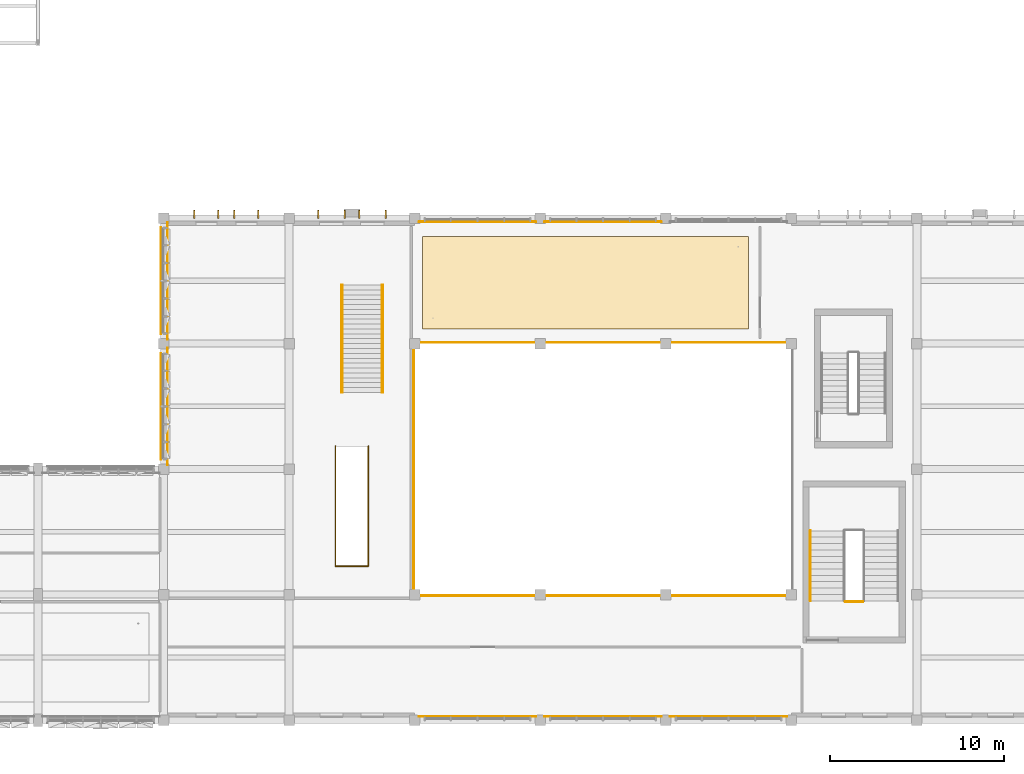
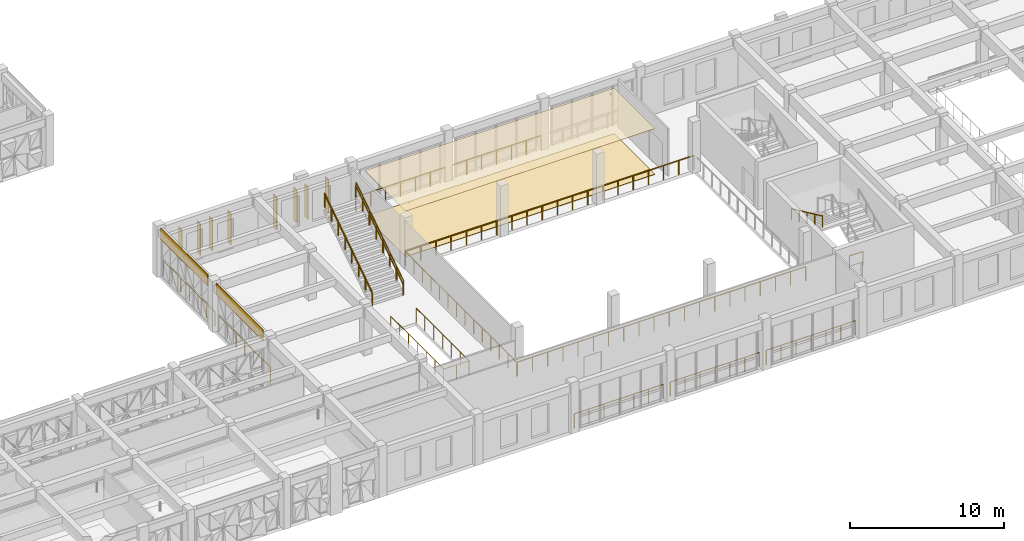
# One storey, part 74 of 88: 17 railings, 12 coverings.
"""IFC4 building model written with IfcOpenShell, lengths in metres."""

import ifcopenshell
import ifcopenshell.guid

model = None  # the IFC model being written
_history = None  # IfcOwnerHistory: only IFC2X3 demands one
_inside = {}  # id of a spatial element -> (the spatial element, [elements in it])
_under = {}  # id of a project, library or spatial element -> (it, [spatial elements below it])
_declared = {}  # id of a project -> (the project, [libraries it declares])
_typed = {}  # id of a type object -> (the type object, [elements of that type])
_made_of = {}  # id of a material, layer set ... -> (it, [elements and type objects made of it])


def new_model(schema):
    """Start an empty IFC model of exactly this schema.

    Asked for "IFC4X3", IfcOpenShell would pick the latest addendum, in which some entities
    have other attributes; the version numbers below select the first issue.
    IFC2X3 requires an IfcOwnerHistory on every rooted entity: one is made here for all.
    """
    global model, _history
    if schema == "IFC4X3":
        model = ifcopenshell.file(schema_version=(4, 3, 0, 0))
    else:
        model = ifcopenshell.file(schema=schema)
    _inside.clear()
    _under.clear()
    _declared.clear()
    _typed.clear()
    _made_of.clear()
    _history = None
    if model.schema == "IFC2X3":
        org = make("IfcOrganization", Name="unknown")
        user = make(
            "IfcPersonAndOrganization",
            ThePerson=make("IfcPerson", FamilyName="unknown"),
            TheOrganization=org,
        )
        app = make(
            "IfcApplication",
            ApplicationDeveloper=org,
            Version="unknown",
            ApplicationFullName="unknown",
            ApplicationIdentifier="unknown",
        )
        _history = make(
            "IfcOwnerHistory",
            OwningUser=user,
            OwningApplication=app,
            ChangeAction="ADDED",
            CreationDate=0,
        )
    return model


def make(cls, **values):
    """One entity of the class cls with the attributes given. An attribute that is None is left unset."""
    return model.create_entity(
        cls, **{name: value for name, value in values.items() if value is not None}
    )


def rooted(cls, **values):
    """An entity with a GlobalId (a new one), such as an element, a storey or a relation."""
    return make(cls, GlobalId=ifcopenshell.guid.new(), OwnerHistory=_history, **values)


def si_unit(unit_type, name, prefix=None):
    """IfcSIUnit, for example si_unit("LENGTHUNIT", "METRE", prefix="MILLI")."""
    return make("IfcSIUnit", UnitType=unit_type, Prefix=prefix, Name=name)


def assignment(units):
    """IfcUnitAssignment: the units of a project."""
    return None if units is None else make("IfcUnitAssignment", Units=units)


def point(xyz):
    """IfcCartesianPoint."""
    return None if xyz is None else make("IfcCartesianPoint", Coordinates=xyz)


def direction(xyz):
    """IfcDirection."""
    return None if xyz is None else make("IfcDirection", DirectionRatios=xyz)


def frame(location, z_axis=None, x_axis=None):
    """IfcAxis2Placement3D, a coordinate frame: its origin and axes. An axis left out is left unset."""
    return make(
        "IfcAxis2Placement3D",
        Location=point(location),
        Axis=direction(z_axis),
        RefDirection=direction(x_axis),
    )


def frame_2d(location, x_axis=None):
    """IfcAxis2Placement2D, a coordinate frame in the plane: its origin and x axis."""
    return make(
        "IfcAxis2Placement2D", Location=point(location), RefDirection=direction(x_axis)
    )


def origin():
    """The frame at (0, 0, 0) with its axes left unset."""
    return frame((0.0, 0.0, 0.0))


def origin_2d():
    """The frame at (0, 0) in the plane with its x axis left unset."""
    return frame_2d((0.0, 0.0))


def place(relative_to, where):
    """IfcLocalPlacement: puts the frame where relative to a parent placement (None: the world)."""
    return make(
        "IfcLocalPlacement", PlacementRelTo=relative_to, RelativePlacement=where
    )


def context(
    kind, dimensions, precision=None, world=None, true_north=None, identifier=None
):
    """IfcGeometricRepresentationContext, for example the 3D "Model" context."""
    return make(
        "IfcGeometricRepresentationContext",
        ContextIdentifier=identifier,
        ContextType=kind,
        CoordinateSpaceDimension=dimensions,
        Precision=precision,
        WorldCoordinateSystem=world,
        TrueNorth=true_north,
    )


def subcontext(parent, identifier, kind, view, scale=None):
    """IfcGeometricRepresentationSubContext, for example "Body" below "Model"."""
    return make(
        "IfcGeometricRepresentationSubContext",
        ContextIdentifier=identifier,
        ContextType=kind,
        ParentContext=parent,
        TargetScale=scale,
        TargetView=view,
    )


def project(units=None, contexts=None):
    """IfcProject with its units and contexts."""
    return rooted(
        "IfcProject",
        Name="project",
        RepresentationContexts=contexts,
        UnitsInContext=assignment(units),
    )


def spatial(cls, under=None, at=None, **own):
    """A site, building, storey or space (cls), placed at a placement, below another one or the project."""
    s = rooted(cls, ObjectPlacement=at, **own)
    if under is not None:
        _under.setdefault(under.id(), (under, []))[1].append(s)
    return s


def polyline(points):
    """IfcPolyline through the points."""
    return make("IfcPolyline", Points=[point(p) for p in points])


def profile(cls, at=None, kind="AREA", **sizes):
    """A parametric profile (cls). Its sizes go by their IFC names, for example OverallWidth=200.0."""
    return make(cls, ProfileType=kind, Position=at, **sizes)


def circle(**sizes):
    """IfcCircleProfileDef."""
    return profile("IfcCircleProfileDef", **sizes)


def outline(outer, holes=None, kind="AREA"):
    """IfcArbitraryClosedProfileDef: a profile drawn as a closed curve; with holes, ...WithVoids."""
    if holes is None:
        return make("IfcArbitraryClosedProfileDef", ProfileType=kind, OuterCurve=outer)
    return make(
        "IfcArbitraryProfileDefWithVoids",
        ProfileType=kind,
        OuterCurve=outer,
        InnerCurves=holes,
    )


def extrude(swept, where, along, depth):
    """IfcExtrudedAreaSolid: the profile swept, set in the frame where, extruded along a direction by depth."""
    return make(
        "IfcExtrudedAreaSolid",
        SweptArea=swept,
        Position=where,
        ExtrudedDirection=direction(along),
        Depth=depth,
    )


def shape(context_of_items, identifier, shape_type, items):
    """IfcShapeRepresentation: the items that make up one representation, for example the "Body"."""
    return make(
        "IfcShapeRepresentation",
        ContextOfItems=context_of_items,
        RepresentationIdentifier=identifier,
        RepresentationType=shape_type,
        Items=items,
    )


def material(Name=None, Category=None):
    """IfcMaterial."""
    return make("IfcMaterial", Name=Name, Category=Category)


def layer(
    of_material, thickness, ventilated=None, Name=None, Category=None, Priority=None
):
    """IfcMaterialLayer: one layer of a wall or slab, of a material (None: an air gap)."""
    return make(
        "IfcMaterialLayer",
        Material=of_material,
        LayerThickness=thickness,
        IsVentilated=ventilated,
        Name=Name,
        Category=Category,
        Priority=Priority,
    )


def layer_set(layers, Name=None):
    """IfcMaterialLayerSet."""
    return make("IfcMaterialLayerSet", MaterialLayers=layers, LayerSetName=Name)


def made_of(thing, what):
    """Note that an element or type object is made of a material, layer set ...; save() writes the relation."""
    if what is not None:
        _made_of.setdefault(what.id(), (what, []))[1].append(thing)
    return thing


def type_object(cls, material=None, **own):
    """A type object (cls), such as IfcWallType, which elements share."""
    return made_of(rooted(cls, **own), material)


def element(
    cls,
    number,
    at=None,
    inside=None,
    cuts=None,
    type_object=None,
    material=None,
    context=None,
    identifier="Body",
    shape_type=None,
    held_by="IfcProductDefinitionShape",
    body=None,
    shapes=None,
    **own,
):
    """One element of the class cls, such as IfcWall. Its Tag is "e" and its number.

    at: its placement. inside: the storey or other place that contains it. cuts: it is an
    opening in that element (IfcRelVoidsElement). A single representation is given by context,
    identifier, shape_type and body (its items); several are given by shapes. held_by: the class
    of the entity that holds the representations. save() writes the other relations.
    """
    e = rooted(cls, Tag="e%d" % number, ObjectPlacement=at, **own)
    if body is not None:
        shapes = [shape(context, identifier, shape_type, body)]
    if shapes is not None:
        e.Representation = make(held_by, Representations=shapes)
    if inside is not None:
        _inside.setdefault(inside.id(), (inside, []))[1].append(e)
    if cuts is not None:
        rooted(
            "IfcRelVoidsElement", RelatingBuildingElement=cuts, RelatedOpeningElement=e
        )
    if type_object is not None:
        _typed.setdefault(type_object.id(), (type_object, []))[1].append(e)
    return made_of(e, material)


def aggregate(whole, parts):
    """IfcRelAggregates: a whole, such as a stair, and the parts it consists of."""
    return rooted("IfcRelAggregates", RelatingObject=whole, RelatedObjects=parts)


def save(model, path):
    """Write the relations noted so far, then the file.

    IfcRelAggregates (storeys below a building ...), IfcRelContainedInSpatialStructure (elements
    in a storey), IfcRelDefinesByType, IfcRelAssociatesMaterial and IfcRelDeclares: one each for
    every whole, place, type object, material and project.
    """
    for whole, parts in _under.values():
        aggregate(whole, parts)
    for where, things in _inside.values():
        rooted(
            "IfcRelContainedInSpatialStructure",
            RelatedElements=things,
            RelatingStructure=where,
        )
    for kind, things in _typed.values():
        rooted("IfcRelDefinesByType", RelatedObjects=things, RelatingType=kind)
    for what, things in _made_of.values():
        rooted("IfcRelAssociatesMaterial", RelatedObjects=things, RelatingMaterial=what)
    for by, libraries in _declared.values():
        rooted("IfcRelDeclares", RelatingContext=by, RelatedDefinitions=libraries)
    model.write(path)


model = new_model("IFC4")

# Units and contexts
model_context = context("Model", 3, precision=1e-05, world=origin(), true_north=direction((0.0, 1.0)))
body_context = subcontext(model_context, "Body", "Model", "MODEL_VIEW")
ifc_project = project(units=[si_unit("LENGTHUNIT", "METRE"), si_unit("AREAUNIT", "SQUARE_METRE"), si_unit("VOLUMEUNIT", "CUBIC_METRE"), si_unit("PLANEANGLEUNIT", "RADIAN"), si_unit("MASSUNIT", "GRAM", prefix="KILO")], contexts=[model_context])

# Site, building, storey
site_placement = place(None, origin())
site = spatial("IfcSite", under=ifc_project, at=site_placement, CompositionType="ELEMENT")
building_placement = place(site_placement, origin())
building = spatial("IfcBuilding", under=site, at=building_placement, Name="Alvorim Cloister Faculty of Sciences", CompositionType="ELEMENT")
storey_placement = place(building_placement, frame((0.0, 0.0, 4.5)))
storey = spatial("IfcBuildingStorey", under=building, at=storey_placement, Name="L01", CompositionType="ELEMENT", Elevation=4.5)

# Coverings
ifc_material_1 = material(Name="Perforated Timber Acoustic Ceiling", Category="wood")
ifc_layer_1 = layer(ifc_material_1, 0.030029296875)
ifc_layer_set_1 = layer_set([ifc_layer_1], Name="Perforated Timber Acoustic Ceiling")
covering_type_1 = type_object("IfcCoveringType", Name="COV-CEIL-ACOUSTIC", PredefinedType="CEILING", material=ifc_layer_set_1)
covering_1_placement = place(storey_placement, frame((0.0, 0.0, 3.610107421875)))
element("IfcCovering", 1, at=covering_1_placement, inside=storey, type_object=covering_type_1, Name="Atrium North Study Mezzanine Acoustic Ceiling", PredefinedType="CEILING", context=body_context, shape_type="SweptSolid", body=[
    extrude(outline(polyline([(79.64990234375, 22.449951171875), (98.35009765625, 22.449951171875), (98.35009765625, 27.75), (79.64990234375, 27.75), (79.64990234375, 22.449951171875)])), origin(), (0.0, 0.0, 1.0), 0.02978515625),
])
ifc_material_2 = material(Name="Anodised Aluminium Alloy 6063-T6", Category="aluminium")
ifc_layer_2 = layer(ifc_material_2, 0.031982421875)
ifc_layer_set_2 = layer_set([ifc_layer_2], Name="Anodised Aluminium Alloy 6063-T6")
covering_type_2 = type_object("IfcCoveringType", Name="COV-FAC-CAS", PredefinedType="CLADDING", material=ifc_layer_set_2)
for number, where, z_axis, x_axis, name in (
    (2, (64.64990234375, 14.93994140625, 3.14990234375), (0.0, 0.0, 1.0), (0.0, 1.0, 0.0), "L01 Shifted Bar Slab-Edge Architectural Fascia"),
    (3, (64.64990234375, 22.139892578125, 3.14990234375), (0.0, 0.0, 1.0), (0.0, 1.0, 0.0), "L01 Shifted Bar Slab-Edge Architectural Fascia"),
):
    element("IfcCovering", number, at=place(storey_placement, frame(where, z_axis=z_axis, x_axis=x_axis)), inside=storey, type_object=covering_type_2, Name=name, PredefinedType="CLADDING", context=body_context, shape_type="SweptSolid", body=[
        extrude(outline(polyline([(0.0, 0.0), (6.1201171875, 0.0), (6.1201171875, 0.89013671875), (0.0, 0.89013671875), (0.0, 0.0)])), frame((0.0, 0.0224609375, 0.0), z_axis=(0.0, -1.0, 0.0), x_axis=(1.0, 0.0, 0.0)), (0.0, 0.0, 1.0), 0.044921875),
    ])
ifc_material_3 = material(Name="Polished Mineral Terrazzo", Category="concrete")
ifc_layer_3 = layer(ifc_material_3, 0.030029296875)
ifc_layer_set_3 = layer_set([ifc_layer_3], Name="Polished Mineral Terrazzo")
covering_type_3 = type_object("IfcCoveringType", Name="COV-FLR-TERRAZZO", PredefinedType="FLOORING", material=ifc_layer_set_3)
covering_2_placement = place(storey_placement, origin())
element("IfcCovering", 4, at=covering_2_placement, inside=storey, type_object=covering_type_3, Name="Atrium North Study Mezzanine Floor Finish", PredefinedType="FLOORING", context=body_context, shape_type="SweptSolid", body=[
    extrude(outline(polyline([(79.64990234375, 22.449951171875), (98.35009765625, 22.449951171875), (98.35009765625, 27.75), (79.64990234375, 27.75), (79.64990234375, 22.449951171875)])), origin(), (0.0, 0.0, 1.0), 0.030029296875),
])
ifc_layer_4 = layer(ifc_material_2, 0.054931640625)
ifc_layer_set_4 = layer_set([ifc_layer_4], Name="Anodised Aluminium Alloy 6063-T6")
covering_type_4 = type_object("IfcCoveringType", Name="COV-SHD-FIN", PredefinedType="CLADDING", material=ifc_layer_set_4)
for number, where, z_axis, x_axis, name in (
    (5, (66.56005859375, 28.800048828125, 0.389892578125), (0.0, 0.0, 1.0), (0.0, 1.0, 0.0), "L01 Brise-Soleil Vertical Fin COV-FIN-00566"),
    (6, (67.93994140625, 28.800048828125, 0.389892578125), (0.0, 0.0, 1.0), (0.0, 1.0, 0.0), "L01 Brise-Soleil Vertical Fin COV-FIN-00567"),
    (7, (68.860107421875, 28.800048828125, 0.389892578125), (0.0, 0.0, 1.0), (0.0, 1.0, 0.0), "L01 Brise-Soleil Vertical Fin COV-FIN-00568"),
    (8, (70.239990234375, 28.800048828125, 0.389892578125), (0.0, 0.0, 1.0), (0.0, 1.0, 0.0), "L01 Brise-Soleil Vertical Fin COV-FIN-00569"),
):
    element("IfcCovering", number, at=place(storey_placement, frame(where, z_axis=z_axis, x_axis=x_axis)), inside=storey, type_object=covering_type_4, Name=name, PredefinedType="CLADDING", context=body_context, shape_type="SweptSolid", body=[
        extrude(outline(polyline([(0.0, 0.0), (0.43994140625, 0.0), (0.43994140625, 2.510009765625), (0.0, 2.510009765625), (0.0, 0.0)])), frame((0.0, 0.02734375, 0.0), z_axis=(0.0, -1.0, 0.0), x_axis=(1.0, 0.0, 0.0)), (0.0, 0.0, 1.0), 0.054931640625),
    ])
for number, where, z_axis, x_axis, name in (
    (9, (73.659912109375, 28.800048828125, 0.389892578125), (0.0, 0.0, 1.0), (0.0, 1.0, 0.0), "L01 Brise-Soleil Vertical Fin COV-FIN-00570"),
    (10, (75.18994140625, 28.800048828125, 0.389892578125), (0.0, 0.0, 1.0), (0.0, 1.0, 0.0), "L01 Brise-Soleil Vertical Fin COV-FIN-00571"),
    (11, (76.010009765625, 28.800048828125, 0.389892578125), (0.0, 0.0, 1.0), (0.0, 1.0, 0.0), "L01 Brise-Soleil Vertical Fin COV-FIN-00572"),
    (12, (77.5400390625, 28.800048828125, 0.389892578125), (0.0, 0.0, 1.0), (0.0, 1.0, 0.0), "L01 Brise-Soleil Vertical Fin COV-FIN-00573"),
):
    element("IfcCovering", number, at=place(storey_placement, frame(where, z_axis=z_axis, x_axis=x_axis)), inside=storey, type_object=covering_type_4, Name=name, PredefinedType="CLADDING", context=body_context, shape_type="SweptSolid", body=[
        extrude(outline(polyline([(0.0, 0.0), (0.43994140625, 0.0), (0.43994140625, 2.610107421875), (0.0, 2.610107421875), (0.0, 0.0)])), frame((0.0, 0.02734375, 0.0), z_axis=(0.0, -1.0, 0.0), x_axis=(1.0, 0.0, 0.0)), (0.0, 0.0, 1.0), 0.054931640625),
    ])

# Railings
ifc_material_4 = material(Name="Laminated Safety Glass and Bronze", Category="glass")
railing_type_1 = type_object("IfcRailingType", Name="RL-ATR-BAL-1150", PredefinedType="BALUSTRADE", material=ifc_material_4)
railing_1_placement = place(storey_placement, frame((65.02001953125, 14.64990234375, 0.0)))
element("IfcRailing", 13, at=railing_1_placement, inside=storey, type_object=railing_type_1, Name="L01 Curtain Wall Sill Guard BL-26", PredefinedType="BALUSTRADE", context=body_context, shape_type="SweptSolid", body=[
    extrude(circle(Radius=0.02392578125, at=origin_2d()), frame((0.0, 0.0, 1.1259765625), z_axis=(0.0, 1.0, 0.0), x_axis=(-1.0, 0.0, 0.0)), (0.0, 0.0, 1.0), 6.7001953125),
    extrude(circle(Radius=0.02099609375, at=origin_2d()), origin(), (0.0, 0.0, 1.0), 1.101806640625),
    extrude(circle(Radius=0.02099609375, at=origin_2d()), frame((0.0, 1.11669921875, 0.0)), (0.0, 0.0, 1.0), 1.101806640625),
    extrude(circle(Radius=0.02099609375, at=origin_2d()), frame((0.0, 2.2333984375, 0.0)), (0.0, 0.0, 1.0), 1.101806640625),
    extrude(circle(Radius=0.02099609375, at=origin_2d()), frame((0.0, 3.35009765625, 0.0)), (0.0, 0.0, 1.0), 1.101806640625),
    extrude(circle(Radius=0.02099609375, at=origin_2d()), frame((0.0, 4.466796875, 0.0)), (0.0, 0.0, 1.0), 1.101806640625),
    extrude(circle(Radius=0.02099609375, at=origin_2d()), frame((0.0, 5.58349609375, 0.0)), (0.0, 0.0, 1.0), 1.101806640625),
    extrude(circle(Radius=0.02099609375, at=origin_2d()), frame((0.0, 6.7001953125, 0.0)), (0.0, 0.0, 1.0), 1.101806640625),
])
railing_2_placement = place(storey_placement, frame((65.02001953125, 21.85009765625, 0.0)))
element("IfcRailing", 14, at=railing_2_placement, inside=storey, type_object=railing_type_1, Name="L01 Curtain Wall Sill Guard BL-27", PredefinedType="BALUSTRADE", context=body_context, shape_type="SweptSolid", body=[
    extrude(circle(Radius=0.02392578125, at=origin_2d()), frame((0.0, 0.0, 1.1259765625), z_axis=(0.0, 1.0, 0.0), x_axis=(-1.0, 0.0, 0.0)), (0.0, 0.0, 1.0), 6.699951171875),
    extrude(circle(Radius=0.02099609375, at=origin_2d()), origin(), (0.0, 0.0, 1.0), 1.101806640625),
    extrude(circle(Radius=0.02099609375, at=origin_2d()), frame((0.0, 1.11669921875, 0.0)), (0.0, 0.0, 1.0), 1.101806640625),
    extrude(circle(Radius=0.02099609375, at=origin_2d()), frame((0.0, 2.2333984375, 0.0)), (0.0, 0.0, 1.0), 1.101806640625),
    extrude(circle(Radius=0.02099609375, at=origin_2d()), frame((0.0, 3.35009765625, 0.0)), (0.0, 0.0, 1.0), 1.101806640625),
    extrude(circle(Radius=0.02099609375, at=origin_2d()), frame((0.0, 4.466552734375, 0.0)), (0.0, 0.0, 1.0), 1.101806640625),
    extrude(circle(Radius=0.02099609375, at=origin_2d()), frame((0.0, 5.583251953125, 0.0)), (0.0, 0.0, 1.0), 1.101806640625),
    extrude(circle(Radius=0.02099609375, at=origin_2d()), frame((0.0, 6.699951171875, 0.0)), (0.0, 0.0, 1.0), 1.101806640625),
])
railing_3_placement = place(storey_placement, frame((79.449951171875, 28.580078125, 0.0)))
element("IfcRailing", 15, at=railing_3_placement, inside=storey, type_object=railing_type_1, Name="L01 Curtain Wall Sill Guard BL-28", PredefinedType="BALUSTRADE", context=body_context, shape_type="SweptSolid", body=[
    extrude(circle(Radius=0.02392578125, at=origin_2d()), frame((0.0, 0.0, 1.1259765625), z_axis=(1.0, 0.0, 0.0), x_axis=(0.0, 1.0, 0.0)), (0.0, 0.0, 1.0), 6.699951171875),
    extrude(circle(Radius=0.02099609375, at=origin_2d()), origin(), (0.0, 0.0, 1.0), 1.101806640625),
    extrude(circle(Radius=0.02099609375, at=origin_2d()), frame((1.11669921875, 0.0, 0.0)), (0.0, 0.0, 1.0), 1.101806640625),
    extrude(circle(Radius=0.02099609375, at=origin_2d()), frame((2.2333984375, 0.0, 0.0)), (0.0, 0.0, 1.0), 1.101806640625),
    extrude(circle(Radius=0.02099609375, at=origin_2d()), frame((3.35009765625, 0.0, 0.0)), (0.0, 0.0, 1.0), 1.101806640625),
    extrude(circle(Radius=0.02099609375, at=origin_2d()), frame((4.466552734375, 0.0, 0.0)), (0.0, 0.0, 1.0), 1.101806640625),
    extrude(circle(Radius=0.02099609375, at=origin_2d()), frame((5.583251953125, 0.0, 0.0)), (0.0, 0.0, 1.0), 1.101806640625),
    extrude(circle(Radius=0.02099609375, at=origin_2d()), frame((6.699951171875, 0.0, 0.0)), (0.0, 0.0, 1.0), 1.101806640625),
])
railing_4_placement = place(storey_placement, frame((86.64990234375, 28.580078125, 0.0)))
element("IfcRailing", 16, at=railing_4_placement, inside=storey, type_object=railing_type_1, Name="L01 Curtain Wall Sill Guard BL-29", PredefinedType="BALUSTRADE", context=body_context, shape_type="SweptSolid", body=[
    extrude(circle(Radius=0.02392578125, at=origin_2d()), frame((0.0, 0.0, 1.1259765625), z_axis=(1.0, 0.0, 0.0), x_axis=(0.0, 1.0, 0.0)), (0.0, 0.0, 1.0), 6.7001953125),
    extrude(circle(Radius=0.02099609375, at=origin_2d()), origin(), (0.0, 0.0, 1.0), 1.101806640625),
    extrude(circle(Radius=0.02099609375, at=origin_2d()), frame((1.11669921875, 0.0, 0.0)), (0.0, 0.0, 1.0), 1.101806640625),
    extrude(circle(Radius=0.02099609375, at=origin_2d()), frame((2.2333984375, 0.0, 0.0)), (0.0, 0.0, 1.0), 1.101806640625),
    extrude(circle(Radius=0.02099609375, at=origin_2d()), frame((3.35009765625, 0.0, 0.0)), (0.0, 0.0, 1.0), 1.101806640625),
    extrude(circle(Radius=0.02099609375, at=origin_2d()), frame((4.466796875, 0.0, 0.0)), (0.0, 0.0, 1.0), 1.101806640625),
    extrude(circle(Radius=0.02099609375, at=origin_2d()), frame((5.58349609375, 0.0, 0.0)), (0.0, 0.0, 1.0), 1.101806640625),
    extrude(circle(Radius=0.02099609375, at=origin_2d()), frame((6.7001953125, 0.0, 0.0)), (0.0, 0.0, 1.0), 1.101806640625),
])
railing_5_placement = place(storey_placement, frame((93.85009765625, 0.219970703125, 0.0)))
element("IfcRailing", 17, at=railing_5_placement, inside=storey, type_object=railing_type_1, Name="L01 Curtain Wall Sill Guard BL-31", PredefinedType="BALUSTRADE", context=body_context, shape_type="SweptSolid", body=[
    extrude(circle(Radius=0.02392578125, at=origin_2d()), frame((0.0, 0.0, 1.1259765625), z_axis=(1.0, 0.0, 0.0), x_axis=(0.0, 1.0, 0.0)), (0.0, 0.0, 1.0), 6.699951171875),
    extrude(circle(Radius=0.02099609375, at=origin_2d()), origin(), (0.0, 0.0, 1.0), 1.101806640625),
    extrude(circle(Radius=0.02099609375, at=origin_2d()), frame((1.11669921875, 0.0, 0.0)), (0.0, 0.0, 1.0), 1.101806640625),
    extrude(circle(Radius=0.02099609375, at=origin_2d()), frame((2.2333984375, 0.0, 0.0)), (0.0, 0.0, 1.0), 1.101806640625),
    extrude(circle(Radius=0.02099609375, at=origin_2d()), frame((3.35009765625, 0.0, 0.0)), (0.0, 0.0, 1.0), 1.101806640625),
    extrude(circle(Radius=0.02099609375, at=origin_2d()), frame((4.466552734375, 0.0, 0.0)), (0.0, 0.0, 1.0), 1.101806640625),
    extrude(circle(Radius=0.02099609375, at=origin_2d()), frame((5.583251953125, 0.0, 0.0)), (0.0, 0.0, 1.0), 1.101806640625),
    extrude(circle(Radius=0.02099609375, at=origin_2d()), frame((6.699951171875, 0.0, 0.0)), (0.0, 0.0, 1.0), 1.101806640625),
])
railing_6_placement = place(storey_placement, frame((86.64990234375, 0.219970703125, 0.0)))
element("IfcRailing", 18, at=railing_6_placement, inside=storey, type_object=railing_type_1, Name="L01 Curtain Wall Sill Guard BL-32", PredefinedType="BALUSTRADE", context=body_context, shape_type="SweptSolid", body=[
    extrude(circle(Radius=0.02392578125, at=origin_2d()), frame((0.0, 0.0, 1.1259765625), z_axis=(1.0, 0.0, 0.0), x_axis=(0.0, 1.0, 0.0)), (0.0, 0.0, 1.0), 6.7001953125),
    extrude(circle(Radius=0.02099609375, at=origin_2d()), origin(), (0.0, 0.0, 1.0), 1.101806640625),
    extrude(circle(Radius=0.02099609375, at=origin_2d()), frame((1.11669921875, 0.0, 0.0)), (0.0, 0.0, 1.0), 1.101806640625),
    extrude(circle(Radius=0.02099609375, at=origin_2d()), frame((2.2333984375, 0.0, 0.0)), (0.0, 0.0, 1.0), 1.101806640625),
    extrude(circle(Radius=0.02099609375, at=origin_2d()), frame((3.35009765625, 0.0, 0.0)), (0.0, 0.0, 1.0), 1.101806640625),
    extrude(circle(Radius=0.02099609375, at=origin_2d()), frame((4.466796875, 0.0, 0.0)), (0.0, 0.0, 1.0), 1.101806640625),
    extrude(circle(Radius=0.02099609375, at=origin_2d()), frame((5.58349609375, 0.0, 0.0)), (0.0, 0.0, 1.0), 1.101806640625),
    extrude(circle(Radius=0.02099609375, at=origin_2d()), frame((6.7001953125, 0.0, 0.0)), (0.0, 0.0, 1.0), 1.101806640625),
])
railing_7_placement = place(storey_placement, frame((79.449951171875, 0.219970703125, 0.0)))
element("IfcRailing", 19, at=railing_7_placement, inside=storey, type_object=railing_type_1, Name="L01 Curtain Wall Sill Guard BL-33", PredefinedType="BALUSTRADE", context=body_context, shape_type="SweptSolid", body=[
    extrude(circle(Radius=0.02392578125, at=origin_2d()), frame((0.0, 0.0, 1.1259765625), z_axis=(1.0, 0.0, 0.0), x_axis=(0.0, 1.0, 0.0)), (0.0, 0.0, 1.0), 6.699951171875),
    extrude(circle(Radius=0.02099609375, at=origin_2d()), origin(), (0.0, 0.0, 1.0), 1.101806640625),
    extrude(circle(Radius=0.02099609375, at=origin_2d()), frame((1.11669921875, 0.0, 0.0)), (0.0, 0.0, 1.0), 1.101806640625),
    extrude(circle(Radius=0.02099609375, at=origin_2d()), frame((2.2333984375, 0.0, 0.0)), (0.0, 0.0, 1.0), 1.101806640625),
    extrude(circle(Radius=0.02099609375, at=origin_2d()), frame((3.35009765625, 0.0, 0.0)), (0.0, 0.0, 1.0), 1.101806640625),
    extrude(circle(Radius=0.02099609375, at=origin_2d()), frame((4.466552734375, 0.0, 0.0)), (0.0, 0.0, 1.0), 1.101806640625),
    extrude(circle(Radius=0.02099609375, at=origin_2d()), frame((5.583251953125, 0.0, 0.0)), (0.0, 0.0, 1.0), 1.101806640625),
    extrude(circle(Radius=0.02099609375, at=origin_2d()), frame((6.699951171875, 0.0, 0.0)), (0.0, 0.0, 1.0), 1.101806640625),
])
railing_8_placement = place(storey_placement, frame((79.18994140625, 7.139892578125, 0.0)))
element("IfcRailing", 20, at=railing_8_placement, inside=storey, type_object=railing_type_1, Name="L01 Atrium Void Balustrade BL-315", PredefinedType="BALUSTRADE", context=body_context, shape_type="SweptSolid", body=[
    extrude(circle(Radius=0.02392578125, at=origin_2d()), frame((0.0, 0.0, 1.1259765625), z_axis=(1.0, 0.0, 0.0), x_axis=(0.0, 1.0, 0.0)), (0.0, 0.0, 1.0), 21.6201171875),
    extrude(circle(Radius=0.02099609375, at=origin_2d()), origin(), (0.0, 0.0, 1.0), 1.101806640625),
    extrude(circle(Radius=0.02099609375, at=origin_2d()), frame((1.137939453125, 0.0, 0.0)), (0.0, 0.0, 1.0), 1.101806640625),
    extrude(circle(Radius=0.02099609375, at=origin_2d()), frame((2.27587890625, 0.0, 0.0)), (0.0, 0.0, 1.0), 1.101806640625),
    extrude(circle(Radius=0.02099609375, at=origin_2d()), frame((3.413818359375, 0.0, 0.0)), (0.0, 0.0, 1.0), 1.101806640625),
    extrude(circle(Radius=0.02099609375, at=origin_2d()), frame((4.551513671875, 0.0, 0.0)), (0.0, 0.0, 1.0), 1.101806640625),
    extrude(circle(Radius=0.02099609375, at=origin_2d()), frame((5.689453125, 0.0, 0.0)), (0.0, 0.0, 1.0), 1.101806640625),
    extrude(circle(Radius=0.02099609375, at=origin_2d()), frame((6.827392578125, 0.0, 0.0)), (0.0, 0.0, 1.0), 1.101806640625),
    extrude(circle(Radius=0.02099609375, at=origin_2d()), frame((7.96533203125, 0.0, 0.0)), (0.0, 0.0, 1.0), 1.101806640625),
    extrude(circle(Radius=0.02099609375, at=origin_2d()), frame((9.103271484375, 0.0, 0.0)), (0.0, 0.0, 1.0), 1.101806640625),
    extrude(circle(Radius=0.02099609375, at=origin_2d()), frame((10.2412109375, 0.0, 0.0)), (0.0, 0.0, 1.0), 1.101806640625),
    extrude(circle(Radius=0.02099609375, at=origin_2d()), frame((11.37890625, 0.0, 0.0)), (0.0, 0.0, 1.0), 1.101806640625),
    extrude(circle(Radius=0.02099609375, at=origin_2d()), frame((12.516845703125, 0.0, 0.0)), (0.0, 0.0, 1.0), 1.101806640625),
    extrude(circle(Radius=0.02099609375, at=origin_2d()), frame((13.65478515625, 0.0, 0.0)), (0.0, 0.0, 1.0), 1.101806640625),
    extrude(circle(Radius=0.02099609375, at=origin_2d()), frame((14.792724609375, 0.0, 0.0)), (0.0, 0.0, 1.0), 1.101806640625),
    extrude(circle(Radius=0.02099609375, at=origin_2d()), frame((15.9306640625, 0.0, 0.0)), (0.0, 0.0, 1.0), 1.101806640625),
    extrude(circle(Radius=0.02099609375, at=origin_2d()), frame((17.068603515625, 0.0, 0.0)), (0.0, 0.0, 1.0), 1.101806640625),
    extrude(circle(Radius=0.02099609375, at=origin_2d()), frame((18.206298828125, 0.0, 0.0)), (0.0, 0.0, 1.0), 1.101806640625),
    extrude(circle(Radius=0.02099609375, at=origin_2d()), frame((19.34423828125, 0.0, 0.0)), (0.0, 0.0, 1.0), 1.101806640625),
    extrude(circle(Radius=0.02099609375, at=origin_2d()), frame((20.482177734375, 0.0, 0.0)), (0.0, 0.0, 1.0), 1.101806640625),
    extrude(circle(Radius=0.02099609375, at=origin_2d()), frame((21.6201171875, 0.0, 0.0)), (0.0, 0.0, 1.0), 1.101806640625),
])
railing_9_placement = place(storey_placement, frame((100.81005859375, 21.659912109375, 0.0)))
element("IfcRailing", 21, at=railing_9_placement, inside=storey, type_object=railing_type_1, Name="L01 Atrium Void Balustrade BL-317", PredefinedType="BALUSTRADE", context=body_context, shape_type="SweptSolid", body=[
    extrude(circle(Radius=0.02392578125, at=origin_2d()), frame((0.0, 0.0, 1.1259765625), z_axis=(-1.0, 0.0, 0.0), x_axis=(0.0, -1.0, 0.0)), (0.0, 0.0, 1.0), 21.6201171875),
    extrude(circle(Radius=0.02099609375, at=origin_2d()), origin(), (0.0, 0.0, 1.0), 1.101806640625),
    extrude(circle(Radius=0.02099609375, at=origin_2d()), frame((-1.137939453125, 0.0, 0.0)), (0.0, 0.0, 1.0), 1.101806640625),
    extrude(circle(Radius=0.02099609375, at=origin_2d()), frame((-2.27587890625, 0.0, 0.0)), (0.0, 0.0, 1.0), 1.101806640625),
    extrude(circle(Radius=0.02099609375, at=origin_2d()), frame((-3.413818359375, 0.0, 0.0)), (0.0, 0.0, 1.0), 1.101806640625),
    extrude(circle(Radius=0.02099609375, at=origin_2d()), frame((-4.551513671875, 0.0, 0.0)), (0.0, 0.0, 1.0), 1.101806640625),
    extrude(circle(Radius=0.02099609375, at=origin_2d()), frame((-5.689453125, 0.0, 0.0)), (0.0, 0.0, 1.0), 1.101806640625),
    extrude(circle(Radius=0.02099609375, at=origin_2d()), frame((-6.827392578125, 0.0, 0.0)), (0.0, 0.0, 1.0), 1.101806640625),
    extrude(circle(Radius=0.02099609375, at=origin_2d()), frame((-7.96533203125, 0.0, 0.0)), (0.0, 0.0, 1.0), 1.101806640625),
    extrude(circle(Radius=0.02099609375, at=origin_2d()), frame((-9.103271484375, 0.0, 0.0)), (0.0, 0.0, 1.0), 1.101806640625),
    extrude(circle(Radius=0.02099609375, at=origin_2d()), frame((-10.2412109375, 0.0, 0.0)), (0.0, 0.0, 1.0), 1.101806640625),
    extrude(circle(Radius=0.02099609375, at=origin_2d()), frame((-11.37890625, 0.0, 0.0)), (0.0, 0.0, 1.0), 1.101806640625),
    extrude(circle(Radius=0.02099609375, at=origin_2d()), frame((-12.516845703125, 0.0, 0.0)), (0.0, 0.0, 1.0), 1.101806640625),
    extrude(circle(Radius=0.02099609375, at=origin_2d()), frame((-13.65478515625, 0.0, 0.0)), (0.0, 0.0, 1.0), 1.101806640625),
    extrude(circle(Radius=0.02099609375, at=origin_2d()), frame((-14.792724609375, 0.0, 0.0)), (0.0, 0.0, 1.0), 1.101806640625),
    extrude(circle(Radius=0.02099609375, at=origin_2d()), frame((-15.9306640625, 0.0, 0.0)), (0.0, 0.0, 1.0), 1.101806640625),
    extrude(circle(Radius=0.02099609375, at=origin_2d()), frame((-17.068603515625, 0.0, 0.0)), (0.0, 0.0, 1.0), 1.101806640625),
    extrude(circle(Radius=0.02099609375, at=origin_2d()), frame((-18.206298828125, 0.0, 0.0)), (0.0, 0.0, 1.0), 1.101806640625),
    extrude(circle(Radius=0.02099609375, at=origin_2d()), frame((-19.34423828125, 0.0, 0.0)), (0.0, 0.0, 1.0), 1.101806640625),
    extrude(circle(Radius=0.02099609375, at=origin_2d()), frame((-20.482177734375, 0.0, 0.0)), (0.0, 0.0, 1.0), 1.101806640625),
    extrude(circle(Radius=0.02099609375, at=origin_2d()), frame((-21.6201171875, 0.0, 0.0)), (0.0, 0.0, 1.0), 1.101806640625),
])
railing_10_placement = place(storey_placement, frame((79.139892578125, 21.610107421875, 0.0)))
element("IfcRailing", 22, at=railing_10_placement, inside=storey, type_object=railing_type_1, Name="L01 Atrium Void Balustrade BL-318", PredefinedType="BALUSTRADE", context=body_context, shape_type="SweptSolid", body=[
    extrude(circle(Radius=0.02392578125, at=origin_2d()), frame((0.0, 0.0, 1.1259765625), z_axis=(0.0, -1.0, 0.0), x_axis=(1.0, 0.0, 0.0)), (0.0, 0.0, 1.0), 14.420166015625),
    extrude(circle(Radius=0.02099609375, at=origin_2d()), origin(), (0.0, 0.0, 1.0), 1.101806640625),
    extrude(circle(Radius=0.02099609375, at=origin_2d()), frame((0.0, -1.109130859375, 0.0)), (0.0, 0.0, 1.0), 1.101806640625),
    extrude(circle(Radius=0.02099609375, at=origin_2d()), frame((0.0, -2.218505859375, 0.0)), (0.0, 0.0, 1.0), 1.101806640625),
    extrude(circle(Radius=0.02099609375, at=origin_2d()), frame((0.0, -3.32763671875, 0.0)), (0.0, 0.0, 1.0), 1.101806640625),
    extrude(circle(Radius=0.02099609375, at=origin_2d()), frame((0.0, -4.43701171875, 0.0)), (0.0, 0.0, 1.0), 1.101806640625),
    extrude(circle(Radius=0.02099609375, at=origin_2d()), frame((0.0, -5.546142578125, 0.0)), (0.0, 0.0, 1.0), 1.101806640625),
    extrude(circle(Radius=0.02099609375, at=origin_2d()), frame((0.0, -6.655517578125, 0.0)), (0.0, 0.0, 1.0), 1.101806640625),
    extrude(circle(Radius=0.02099609375, at=origin_2d()), frame((0.0, -7.7646484375, 0.0)), (0.0, 0.0, 1.0), 1.101806640625),
    extrude(circle(Radius=0.02099609375, at=origin_2d()), frame((0.0, -8.8740234375, 0.0)), (0.0, 0.0, 1.0), 1.101806640625),
    extrude(circle(Radius=0.02099609375, at=origin_2d()), frame((0.0, -9.983154296875, 0.0)), (0.0, 0.0, 1.0), 1.101806640625),
    extrude(circle(Radius=0.02099609375, at=origin_2d()), frame((0.0, -11.092529296875, 0.0)), (0.0, 0.0, 1.0), 1.101806640625),
    extrude(circle(Radius=0.02099609375, at=origin_2d()), frame((0.0, -12.20166015625, 0.0)), (0.0, 0.0, 1.0), 1.101806640625),
    extrude(circle(Radius=0.02099609375, at=origin_2d()), frame((0.0, -13.31103515625, 0.0)), (0.0, 0.0, 1.0), 1.101806640625),
    extrude(circle(Radius=0.02099609375, at=origin_2d()), frame((0.0, -14.420166015625, 0.0)), (0.0, 0.0, 1.0), 1.101806640625),
])
railing_11_placement = place(storey_placement, frame((74.655029296875, 15.719970703125, 0.0)))
element("IfcRailing", 23, at=railing_11_placement, inside=storey, type_object=railing_type_1, Name="L01 Monumental Stair Well Guard BL-339", PredefinedType="BALUSTRADE", context=body_context, shape_type="SweptSolid", body=[
    extrude(circle(Radius=0.02392578125, at=origin_2d()), frame((0.0, 0.0, 1.1259765625), z_axis=(0.0, -1.0, 0.0), x_axis=(1.0, 0.0, 0.0)), (0.0, 0.0, 1.0), 6.8798828125),
    extrude(circle(Radius=0.02392578125, at=origin_2d()), frame((0.0, -6.8798828125, 1.1259765625), z_axis=(1.0, 0.0, 0.0), x_axis=(0.0, 1.0, 0.0)), (0.0, 0.0, 1.0), 1.889892578125),
    extrude(circle(Radius=0.02392578125, at=origin_2d()), frame((1.889892578125, -6.8798828125, 1.1259765625), z_axis=(0.0, 1.0, 0.0), x_axis=(-1.0, 0.0, 0.0)), (0.0, 0.0, 1.0), 6.8798828125),
    extrude(circle(Radius=0.02099609375, at=origin_2d()), origin(), (0.0, 0.0, 1.0), 1.101806640625),
    extrude(circle(Radius=0.02099609375, at=origin_2d()), frame((0.0, -1.146728515625, 0.0)), (0.0, 0.0, 1.0), 1.101806640625),
    extrude(circle(Radius=0.02099609375, at=origin_2d()), frame((0.0, -2.293212890625, 0.0)), (0.0, 0.0, 1.0), 1.101806640625),
    extrude(circle(Radius=0.02099609375, at=origin_2d()), frame((0.0, -3.43994140625, 0.0)), (0.0, 0.0, 1.0), 1.101806640625),
    extrude(circle(Radius=0.02099609375, at=origin_2d()), frame((0.0, -4.586669921875, 0.0)), (0.0, 0.0, 1.0), 1.101806640625),
    extrude(circle(Radius=0.02099609375, at=origin_2d()), frame((0.0, -5.733154296875, 0.0)), (0.0, 0.0, 1.0), 1.101806640625),
    extrude(circle(Radius=0.02099609375, at=origin_2d()), frame((0.0, -6.8798828125, 0.0)), (0.0, 0.0, 1.0), 1.101806640625),
    extrude(circle(Radius=0.02099609375, at=origin_2d()), frame((0.94482421875, -6.8798828125, 0.0)), (0.0, 0.0, 1.0), 1.101806640625),
    extrude(circle(Radius=0.02099609375, at=origin_2d()), frame((1.889892578125, -6.8798828125, 0.0)), (0.0, 0.0, 1.0), 1.101806640625),
    extrude(circle(Radius=0.02099609375, at=origin_2d()), frame((1.889892578125, -5.733154296875, 0.0)), (0.0, 0.0, 1.0), 1.101806640625),
    extrude(circle(Radius=0.02099609375, at=origin_2d()), frame((1.889892578125, -4.586669921875, 0.0)), (0.0, 0.0, 1.0), 1.101806640625),
    extrude(circle(Radius=0.02099609375, at=origin_2d()), frame((1.889892578125, -3.43994140625, 0.0)), (0.0, 0.0, 1.0), 1.101806640625),
    extrude(circle(Radius=0.02099609375, at=origin_2d()), frame((1.889892578125, -2.293212890625, 0.0)), (0.0, 0.0, 1.0), 1.101806640625),
    extrude(circle(Radius=0.02099609375, at=origin_2d()), frame((1.889892578125, -1.146728515625, 0.0)), (0.0, 0.0, 1.0), 1.101806640625),
    extrude(circle(Radius=0.02099609375, at=origin_2d()), frame((1.889892578125, 0.0, 0.0)), (0.0, 0.0, 1.0), 1.101806640625),
])
ifc_material_5 = material(Name="Brushed Bronze", Category="metal")
railing_type_2 = type_object("IfcRailingType", Name="RL-MON-HAND", PredefinedType="HANDRAIL", material=ifc_material_5)
for number, where, name in (
    (24, (77.344970703125, 18.800048828125, 0.0), "MST-L01-ATR Handrail 1"),
    (25, (75.054931640625, 18.800048828125, 0.0), "MST-L01-ATR Handrail 2"),
):
    element("IfcRailing", number, at=place(storey_placement, frame(where)), inside=storey, type_object=railing_type_2, Name=name, PredefinedType="HANDRAIL", context=body_context, shape_type="SweptSolid", body=[
        extrude(circle(Radius=0.02392578125, at=origin_2d()), frame((0.0, 0.0, 0.89599609375), z_axis=(0.0, 0.835574309644, 0.549377441349), x_axis=(-1.0, 0.0, 0.0)), (0.0, 0.0, 1.0), 7.3720703125),
        extrude(circle(Radius=0.02099609375, at=origin_2d()), origin(), (0.0, 0.0, 1.0), 0.871826171875),
        extrude(circle(Radius=0.02099609375, at=origin_2d()), frame((0.0, 0.8798828125, 0.57861328125)), (0.0, 0.0, 1.0), 0.871826171875),
        extrude(circle(Radius=0.02099609375, at=origin_2d()), frame((0.0, 1.760009765625, 1.1572265625)), (0.0, 0.0, 1.0), 0.871826171875),
        extrude(circle(Radius=0.02099609375, at=origin_2d()), frame((0.0, 2.639892578125, 1.73583984375)), (0.0, 0.0, 1.0), 0.871826171875),
        extrude(circle(Radius=0.02099609375, at=origin_2d()), frame((0.0, 3.52001953125, 2.314208984375)), (0.0, 0.0, 1.0), 0.871826171875),
        extrude(circle(Radius=0.02099609375, at=origin_2d()), frame((0.0, 4.39990234375, 2.892822265625)), (0.0, 0.0, 1.0), 0.871826171875),
        extrude(circle(Radius=0.02099609375, at=origin_2d()), frame((0.0, 5.280029296875, 3.471435546875)), (0.0, 0.0, 1.0), 0.871826171875),
        extrude(circle(Radius=0.02099609375, at=origin_2d()), frame((0.0, 6.159912109375, 4.050048828125)), (0.0, 0.0, 1.0), 0.871826171875),
    ])
ifc_material_6 = material(Name="Galvanised Painted Steel", Category="steel")
railing_type_3 = type_object("IfcRailingType", Name="RL-STR-GUARD", PredefinedType="GUARDRAIL", material=ifc_material_6)
railing_12_placement = place(storey_placement, frame((104.909912109375, 6.800048828125, 0.0)))
element("IfcRailing", 26, at=railing_12_placement, inside=storey, type_object=railing_type_3, Name="L01 ST-12 stair guard 4", PredefinedType="GUARDRAIL", context=body_context, shape_type="SweptSolid", body=[
    extrude(circle(Radius=0.02392578125, at=origin_2d()), frame((0.0, 0.0, 1.09619140625), z_axis=(-1.0, 0.0, 0.0), x_axis=(0.0, -1.0, 0.0)), (0.0, 0.0, 1.0), 1.02001953125),
    extrude(circle(Radius=0.02099609375, at=origin_2d()), origin(), (0.0, 0.0, 1.0), 1.072021484375),
    extrude(circle(Radius=0.02099609375, at=origin_2d()), frame((-1.02001953125, 0.0, 0.0)), (0.0, 0.0, 1.0), 1.072021484375),
])
ifc_material_7 = material(Name="Brushed Stainless Steel", Category="steel")
railing_type_4 = type_object("IfcRailingType", Name="RL-STR-HAND", PredefinedType="HANDRAIL", material=ifc_material_7)
railing_13_placement = place(storey_placement, frame((101.889892578125, 10.864990234375, 2.19384765625)))
element("IfcRailing", 27, at=railing_13_placement, inside=storey, type_object=railing_type_4, Name="L01 ST-12 stair handrail 2", PredefinedType="HANDRAIL", context=body_context, shape_type="SweptSolid", body=[
    extrude(circle(Radius=0.02392578125, at=origin_2d()), frame((0.0, 0.0, 0.8759765625), z_axis=(0.0, -0.907686177169, 0.41964962025), x_axis=(1.0, 0.0, 0.0)), (0.0, 0.0, 1.0), 4.423095703125),
    extrude(circle(Radius=0.02099609375, at=origin_2d()), origin(), (0.0, 0.0, 1.0), 0.851806640625),
    extrude(circle(Radius=0.02099609375, at=origin_2d()), frame((0.0, -1.003662109375, 0.464111328125)), (0.0, 0.0, 1.0), 0.851806640625),
    extrude(circle(Radius=0.02099609375, at=origin_2d()), frame((0.0, -2.00732421875, 0.92822265625)), (0.0, 0.0, 1.0), 0.851806640625),
    extrude(circle(Radius=0.02099609375, at=origin_2d()), frame((0.0, -3.01123046875, 1.39208984375)), (0.0, 0.0, 1.0), 0.851806640625),
    extrude(circle(Radius=0.02099609375, at=origin_2d()), frame((0.0, -4.014892578125, 1.856201171875)), (0.0, 0.0, 1.0), 0.851806640625),
])
railing_type_5 = type_object("IfcRailingType", Name="RL-TER-GUARD-1150", PredefinedType="GUARDRAIL", material=ifc_material_6)
for number, where, name in (
    (28, (77.385009765625, 18.800048828125, 0.0), "MST-L01-ATR Flight Guard 1"),
    (29, (75.014892578125, 18.800048828125, 0.0), "MST-L01-ATR Flight Guard 2"),
):
    element("IfcRailing", number, at=place(storey_placement, frame(where)), inside=storey, type_object=railing_type_5, Name=name, PredefinedType="GUARDRAIL", context=body_context, shape_type="SweptSolid", body=[
        extrude(circle(Radius=0.02392578125, at=origin_2d()), frame((0.0, 0.0, 1.1259765625), z_axis=(0.0, 0.835574309644, 0.549377441349), x_axis=(-1.0, 0.0, 0.0)), (0.0, 0.0, 1.0), 7.3720703125),
        extrude(circle(Radius=0.02099609375, at=origin_2d()), origin(), (0.0, 0.0, 1.0), 1.101806640625),
        extrude(circle(Radius=0.02099609375, at=origin_2d()), frame((0.0, 0.8798828125, 0.57861328125)), (0.0, 0.0, 1.0), 1.101806640625),
        extrude(circle(Radius=0.02099609375, at=origin_2d()), frame((0.0, 1.760009765625, 1.1572265625)), (0.0, 0.0, 1.0), 1.101806640625),
        extrude(circle(Radius=0.02099609375, at=origin_2d()), frame((0.0, 2.639892578125, 1.73583984375)), (0.0, 0.0, 1.0), 1.101806640625),
        extrude(circle(Radius=0.02099609375, at=origin_2d()), frame((0.0, 3.52001953125, 2.314208984375)), (0.0, 0.0, 1.0), 1.101806640625),
        extrude(circle(Radius=0.02099609375, at=origin_2d()), frame((0.0, 4.39990234375, 2.892822265625)), (0.0, 0.0, 1.0), 1.101806640625),
        extrude(circle(Radius=0.02099609375, at=origin_2d()), frame((0.0, 5.280029296875, 3.471435546875)), (0.0, 0.0, 1.0), 1.101806640625),
        extrude(circle(Radius=0.02099609375, at=origin_2d()), frame((0.0, 6.159912109375, 4.050048828125)), (0.0, 0.0, 1.0), 1.101806640625),
    ])

save(model, "model.ifc")
